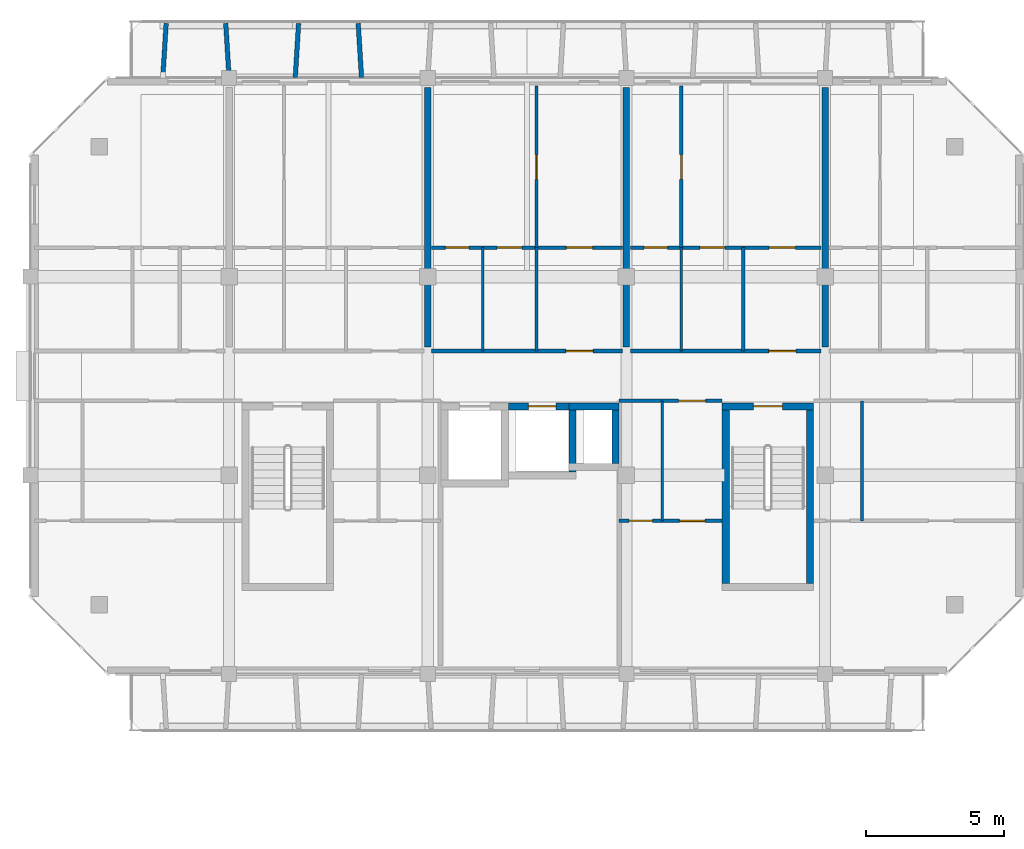
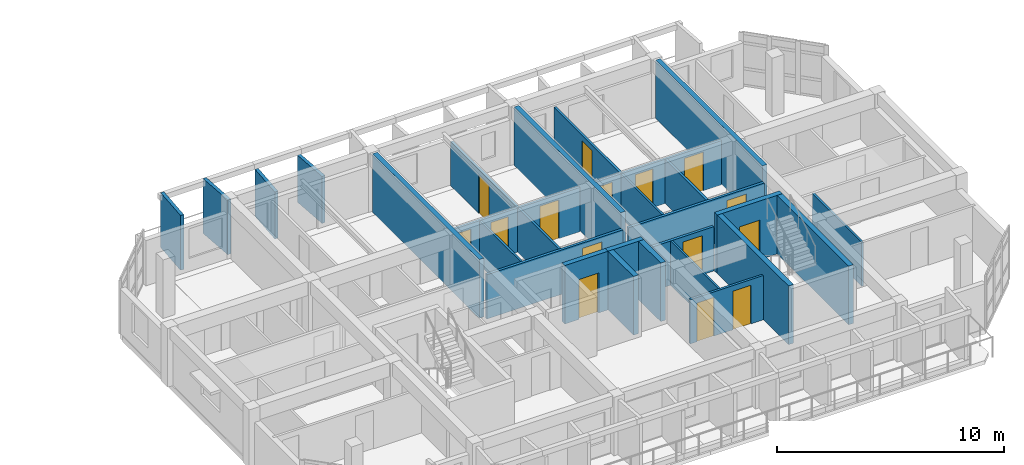
# One storey, part 26 of 43: 28 walls, 15 doors, 15 openings.
"""IFC4 building model written with IfcOpenShell, lengths in metres."""

import ifcopenshell
import ifcopenshell.guid

model = None  # the IFC model being written
_history = None  # IfcOwnerHistory: only IFC2X3 demands one
_inside = {}  # id of a spatial element -> (the spatial element, [elements in it])
_under = {}  # id of a project, library or spatial element -> (it, [spatial elements below it])
_declared = {}  # id of a project -> (the project, [libraries it declares])
_typed = {}  # id of a type object -> (the type object, [elements of that type])
_made_of = {}  # id of a material, layer set ... -> (it, [elements and type objects made of it])


def new_model(schema):
    """Start an empty IFC model of exactly this schema.

    Asked for "IFC4X3", IfcOpenShell would pick the latest addendum, in which some entities
    have other attributes; the version numbers below select the first issue.
    IFC2X3 requires an IfcOwnerHistory on every rooted entity: one is made here for all.
    """
    global model, _history
    if schema == "IFC4X3":
        model = ifcopenshell.file(schema_version=(4, 3, 0, 0))
    else:
        model = ifcopenshell.file(schema=schema)
    _inside.clear()
    _under.clear()
    _declared.clear()
    _typed.clear()
    _made_of.clear()
    _history = None
    if model.schema == "IFC2X3":
        org = make("IfcOrganization", Name="unknown")
        user = make(
            "IfcPersonAndOrganization",
            ThePerson=make("IfcPerson", FamilyName="unknown"),
            TheOrganization=org,
        )
        app = make(
            "IfcApplication",
            ApplicationDeveloper=org,
            Version="unknown",
            ApplicationFullName="unknown",
            ApplicationIdentifier="unknown",
        )
        _history = make(
            "IfcOwnerHistory",
            OwningUser=user,
            OwningApplication=app,
            ChangeAction="ADDED",
            CreationDate=0,
        )
    return model


def make(cls, **values):
    """One entity of the class cls with the attributes given. An attribute that is None is left unset."""
    return model.create_entity(
        cls, **{name: value for name, value in values.items() if value is not None}
    )


def rooted(cls, **values):
    """An entity with a GlobalId (a new one), such as an element, a storey or a relation."""
    return make(cls, GlobalId=ifcopenshell.guid.new(), OwnerHistory=_history, **values)


def si_unit(unit_type, name, prefix=None):
    """IfcSIUnit, for example si_unit("LENGTHUNIT", "METRE", prefix="MILLI")."""
    return make("IfcSIUnit", UnitType=unit_type, Prefix=prefix, Name=name)


def assignment(units):
    """IfcUnitAssignment: the units of a project."""
    return None if units is None else make("IfcUnitAssignment", Units=units)


def point(xyz):
    """IfcCartesianPoint."""
    return None if xyz is None else make("IfcCartesianPoint", Coordinates=xyz)


def direction(xyz):
    """IfcDirection."""
    return None if xyz is None else make("IfcDirection", DirectionRatios=xyz)


def frame(location, z_axis=None, x_axis=None):
    """IfcAxis2Placement3D, a coordinate frame: its origin and axes. An axis left out is left unset."""
    return make(
        "IfcAxis2Placement3D",
        Location=point(location),
        Axis=direction(z_axis),
        RefDirection=direction(x_axis),
    )


def frame_2d(location, x_axis=None):
    """IfcAxis2Placement2D, a coordinate frame in the plane: its origin and x axis."""
    return make(
        "IfcAxis2Placement2D", Location=point(location), RefDirection=direction(x_axis)
    )


def origin():
    """The frame at (0, 0, 0) with its axes left unset."""
    return frame((0.0, 0.0, 0.0))


def place(relative_to, where):
    """IfcLocalPlacement: puts the frame where relative to a parent placement (None: the world)."""
    return make(
        "IfcLocalPlacement", PlacementRelTo=relative_to, RelativePlacement=where
    )


def context(
    kind, dimensions, precision=None, world=None, true_north=None, identifier=None
):
    """IfcGeometricRepresentationContext, for example the 3D "Model" context."""
    return make(
        "IfcGeometricRepresentationContext",
        ContextIdentifier=identifier,
        ContextType=kind,
        CoordinateSpaceDimension=dimensions,
        Precision=precision,
        WorldCoordinateSystem=world,
        TrueNorth=true_north,
    )


def subcontext(parent, identifier, kind, view, scale=None):
    """IfcGeometricRepresentationSubContext, for example "Body" below "Model"."""
    return make(
        "IfcGeometricRepresentationSubContext",
        ContextIdentifier=identifier,
        ContextType=kind,
        ParentContext=parent,
        TargetScale=scale,
        TargetView=view,
    )


def project(units=None, contexts=None):
    """IfcProject with its units and contexts."""
    return rooted(
        "IfcProject",
        Name="project",
        RepresentationContexts=contexts,
        UnitsInContext=assignment(units),
    )


def spatial(cls, under=None, at=None, **own):
    """A site, building, storey or space (cls), placed at a placement, below another one or the project."""
    s = rooted(cls, ObjectPlacement=at, **own)
    if under is not None:
        _under.setdefault(under.id(), (under, []))[1].append(s)
    return s


def profile(cls, at=None, kind="AREA", **sizes):
    """A parametric profile (cls). Its sizes go by their IFC names, for example OverallWidth=200.0."""
    return make(cls, ProfileType=kind, Position=at, **sizes)


def rectangle(**sizes):
    """IfcRectangleProfileDef."""
    return profile("IfcRectangleProfileDef", **sizes)


def extrude(swept, where, along, depth):
    """IfcExtrudedAreaSolid: the profile swept, set in the frame where, extruded along a direction by depth."""
    return make(
        "IfcExtrudedAreaSolid",
        SweptArea=swept,
        Position=where,
        ExtrudedDirection=direction(along),
        Depth=depth,
    )


def shape(context_of_items, identifier, shape_type, items):
    """IfcShapeRepresentation: the items that make up one representation, for example the "Body"."""
    return make(
        "IfcShapeRepresentation",
        ContextOfItems=context_of_items,
        RepresentationIdentifier=identifier,
        RepresentationType=shape_type,
        Items=items,
    )


def material(Name=None, Category=None):
    """IfcMaterial."""
    return make("IfcMaterial", Name=Name, Category=Category)


def layer(
    of_material, thickness, ventilated=None, Name=None, Category=None, Priority=None
):
    """IfcMaterialLayer: one layer of a wall or slab, of a material (None: an air gap)."""
    return make(
        "IfcMaterialLayer",
        Material=of_material,
        LayerThickness=thickness,
        IsVentilated=ventilated,
        Name=Name,
        Category=Category,
        Priority=Priority,
    )


def layer_set(layers, Name=None):
    """IfcMaterialLayerSet."""
    return make("IfcMaterialLayerSet", MaterialLayers=layers, LayerSetName=Name)


def made_of(thing, what):
    """Note that an element or type object is made of a material, layer set ...; save() writes the relation."""
    if what is not None:
        _made_of.setdefault(what.id(), (what, []))[1].append(thing)
    return thing


def type_object(cls, material=None, **own):
    """A type object (cls), such as IfcWallType, which elements share."""
    return made_of(rooted(cls, **own), material)


def element(
    cls,
    number,
    at=None,
    inside=None,
    cuts=None,
    type_object=None,
    material=None,
    context=None,
    identifier="Body",
    shape_type=None,
    held_by="IfcProductDefinitionShape",
    body=None,
    shapes=None,
    **own,
):
    """One element of the class cls, such as IfcWall. Its Tag is "e" and its number.

    at: its placement. inside: the storey or other place that contains it. cuts: it is an
    opening in that element (IfcRelVoidsElement). A single representation is given by context,
    identifier, shape_type and body (its items); several are given by shapes. held_by: the class
    of the entity that holds the representations. save() writes the other relations.
    """
    e = rooted(cls, Tag="e%d" % number, ObjectPlacement=at, **own)
    if body is not None:
        shapes = [shape(context, identifier, shape_type, body)]
    if shapes is not None:
        e.Representation = make(held_by, Representations=shapes)
    if inside is not None:
        _inside.setdefault(inside.id(), (inside, []))[1].append(e)
    if cuts is not None:
        rooted(
            "IfcRelVoidsElement", RelatingBuildingElement=cuts, RelatedOpeningElement=e
        )
    if type_object is not None:
        _typed.setdefault(type_object.id(), (type_object, []))[1].append(e)
    return made_of(e, material)


def fill(opening, filler):
    """IfcRelFillsElement: the door or window that sits in an opening."""
    return rooted(
        "IfcRelFillsElement",
        RelatingOpeningElement=opening,
        RelatedBuildingElement=filler,
    )


def aggregate(whole, parts):
    """IfcRelAggregates: a whole, such as a stair, and the parts it consists of."""
    return rooted("IfcRelAggregates", RelatingObject=whole, RelatedObjects=parts)


def save(model, path):
    """Write the relations noted so far, then the file.

    IfcRelAggregates (storeys below a building ...), IfcRelContainedInSpatialStructure (elements
    in a storey), IfcRelDefinesByType, IfcRelAssociatesMaterial and IfcRelDeclares: one each for
    every whole, place, type object, material and project.
    """
    for whole, parts in _under.values():
        aggregate(whole, parts)
    for where, things in _inside.values():
        rooted(
            "IfcRelContainedInSpatialStructure",
            RelatedElements=things,
            RelatingStructure=where,
        )
    for kind, things in _typed.values():
        rooted("IfcRelDefinesByType", RelatedObjects=things, RelatingType=kind)
    for what, things in _made_of.values():
        rooted("IfcRelAssociatesMaterial", RelatedObjects=things, RelatingMaterial=what)
    for by, libraries in _declared.values():
        rooted("IfcRelDeclares", RelatingContext=by, RelatedDefinitions=libraries)
    model.write(path)


model = new_model("IFC4")

# Units and contexts
model_context = context("Model", 3, precision=1e-05, world=origin(), true_north=direction((0.0, 1.0)))
body_context = subcontext(model_context, "Body", "Model", "MODEL_VIEW")
ifc_project = project(units=[si_unit("LENGTHUNIT", "METRE"), si_unit("AREAUNIT", "SQUARE_METRE"), si_unit("VOLUMEUNIT", "CUBIC_METRE"), si_unit("PLANEANGLEUNIT", "RADIAN"), si_unit("MASSUNIT", "GRAM", prefix="KILO")], contexts=[model_context])

# Site, building, storey
site_placement = place(None, origin())
site = spatial("IfcSite", under=ifc_project, at=site_placement, CompositionType="ELEMENT")
building_placement = place(site_placement, origin())
building = spatial("IfcBuilding", under=site, at=building_placement, Name="Ochrevale Crest", CompositionType="ELEMENT")
storey_placement = place(building_placement, frame((0.0, 0.0, 15.0)))
storey = spatial("IfcBuildingStorey", under=building, at=storey_placement, Name="L04", CompositionType="ELEMENT", Elevation=15.0)

# Wall, opening, door
ifc_material_1 = material(Name="Gypsum plasterboard", Category="gypsum")
ifc_layer_1 = layer(ifc_material_1, 0.139892578125)
ifc_layer_set_1 = layer_set([ifc_layer_1], Name="Gypsum plasterboard")
wall_type_1 = type_object("IfcWallType", Name="WL-COR-140", PredefinedType="PARTITIONING", material=ifc_layer_set_1)
wall_1_placement = place(storey_placement, frame((144.139892578125, 83.699951171875, 0.0), z_axis=(0.0, 0.0, 1.0), x_axis=(1.0, 0.0, 0.0)))
wall_1 = element("IfcWall", 1, at=wall_1_placement, inside=storey, type_object=wall_type_1, Name="Apartment D-L04-U3 corridor wall", PredefinedType="PARTITIONING", context=body_context, shape_type="SweptSolid", body=[
    extrude(rectangle(XDim=6.920166015625, YDim=0.139892578125, at=frame_2d((3.4599609375, 0.0))), origin(), (0.0, 0.0, 1.0), 2.3798828125),
])
opening_1_placement = place(wall_1_placement, frame((5.85009765625, 0.0, 0.0), z_axis=(0.0, 0.0, 1.0), x_axis=(-1.0, 0.0, 0.0)))
opening_1 = element("IfcOpeningElement", 2, at=opening_1_placement, cuts=wall_1, Name="Opening FD01", PredefinedType="OPENING", context=body_context, shape_type="SweptSolid", body=[
    extrude(rectangle(XDim=0.97998046875, YDim=2.10009765625, at=frame_2d((0.489990234375, 1.050048828125))), frame((0.0, 0.080078125, 0.0), z_axis=(0.0, -1.0, 0.0), x_axis=(1.0, 0.0, 0.0)), (0.0, 0.0, 1.0), 0.159912109375),
])
ifc_material_2 = material(Name="Solid-core FSC hardwood", Category="wood")
door_type_1 = type_object("IfcDoorType", Name="DR-APT-950", OperationType="NOTDEFINED", PredefinedType="DOOR", material=ifc_material_2)
door_1_placement = place(opening_1_placement, origin())
door_1 = element("IfcDoor", 3, at=door_1_placement, inside=storey, type_object=door_type_1, Name="Apartment D-L04-U3 entrance door", OperationType="SINGLE_SWING_RIGHT", OverallHeight=2.10009765625, OverallWidth=0.97998046875, PredefinedType="DOOR", context=body_context, shape_type="SweptSolid", body=[
    extrude(rectangle(XDim=0.97998046875, YDim=2.10009765625, at=frame_2d((0.489990234375, 1.050048828125))), frame((0.0, 0.02490234375, 0.0), z_axis=(0.0, -1.0, 0.0), x_axis=(1.0, 0.0, 0.0)), (0.0, 0.0, 1.0), 0.050048828125),
])
fill(opening_1, door_1)

wall_2_placement = place(storey_placement, frame((151.340087890625, 83.699951171875, 0.0), z_axis=(0.0, 0.0, 1.0), x_axis=(1.0, 0.0, 0.0)))
wall_2 = element("IfcWall", 4, at=wall_2_placement, inside=storey, type_object=wall_type_1, Name="Apartment D-L04-U4 corridor wall", PredefinedType="PARTITIONING", context=body_context, shape_type="SweptSolid", body=[
    extrude(rectangle(XDim=6.919921875, YDim=0.139892578125, at=frame_2d((3.4599609375, 0.0))), origin(), (0.0, 0.0, 1.0), 2.3798828125),
])
opening_2_placement = place(wall_2_placement, frame((5.02001953125, 0.0, 0.0)))
opening_2 = element("IfcOpeningElement", 5, at=opening_2_placement, cuts=wall_2, Name="Opening FD01", PredefinedType="OPENING", context=body_context, shape_type="SweptSolid", body=[
    extrude(rectangle(XDim=0.97998046875, YDim=2.10009765625, at=frame_2d((0.489990234375, 1.050048828125))), frame((0.0, 0.080078125, 0.0), z_axis=(0.0, -1.0, 0.0), x_axis=(1.0, 0.0, 0.0)), (0.0, 0.0, 1.0), 0.159912109375),
])
door_2_placement = place(opening_2_placement, origin())
door_2 = element("IfcDoor", 6, at=door_2_placement, inside=storey, type_object=door_type_1, Name="Apartment D-L04-U4 entrance door", OperationType="SINGLE_SWING_LEFT", OverallHeight=2.10009765625, OverallWidth=0.97998046875, PredefinedType="DOOR", context=body_context, shape_type="SweptSolid", body=[
    extrude(rectangle(XDim=0.97998046875, YDim=2.10009765625, at=frame_2d((0.489990234375, 1.050048828125))), frame((0.0, 0.02490234375, 0.0), z_axis=(0.0, -1.0, 0.0), x_axis=(1.0, 0.0, 0.0)), (0.0, 0.0, 1.0), 0.050048828125),
])
fill(opening_2, door_2)

wall_3_placement = place(storey_placement, frame((150.93994140625, 81.89990234375, 0.0), z_axis=(0.0, 0.0, 1.0), x_axis=(1.0, 0.0, 0.0)))
wall_3 = element("IfcWall", 7, at=wall_3_placement, inside=storey, type_object=wall_type_1, Name="Suite D-L04-ME corridor wall", PredefinedType="PARTITIONING", context=body_context, shape_type="SweptSolid", body=[
    extrude(rectangle(XDim=3.719970703125, YDim=0.139892578125, at=frame_2d((1.85986328125, 0.0))), origin(), (0.0, 0.0, 1.0), 2.3798828125),
])
opening_3_placement = place(wall_3_placement, frame((2.151123046875, 0.0, 0.0)))
opening_3 = element("IfcOpeningElement", 8, at=opening_3_placement, cuts=wall_3, Name="Opening FD01", PredefinedType="OPENING", context=body_context, shape_type="SweptSolid", body=[
    extrude(rectangle(XDim=0.97998046875, YDim=2.10009765625, at=frame_2d((0.489990234375, 1.050048828125))), frame((0.0, 0.080078125, 0.0), z_axis=(0.0, -1.0, 0.0), x_axis=(1.0, 0.0, 0.0)), (0.0, 0.0, 1.0), 0.159912109375),
])
door_3_placement = place(opening_3_placement, origin())
door_3 = element("IfcDoor", 9, at=door_3_placement, inside=storey, type_object=door_type_1, Name="Suite D-L04-ME entrance door", OperationType="SINGLE_SWING_LEFT", OverallHeight=2.10009765625, OverallWidth=0.97998046875, PredefinedType="DOOR", context=body_context, shape_type="SweptSolid", body=[
    extrude(rectangle(XDim=0.97998046875, YDim=2.10009765625, at=frame_2d((0.489990234375, 1.050048828125))), frame((0.0, 0.02490234375, 0.0), z_axis=(0.0, -1.0, 0.0), x_axis=(1.0, 0.0, 0.0)), (0.0, 0.0, 1.0), 0.050048828125),
])
fill(opening_3, door_3)

ifc_material_3 = material(Name="Precast concrete C50/60", Category="concrete")
ifc_layer_2 = layer(ifc_material_3, 0.2548828125)
ifc_layer_set_2 = layer_set([ifc_layer_2], Name="Precast concrete C50/60")
wall_type_2 = type_object("IfcWallType", Name="WL-CORE-255", PredefinedType="SHEAR", material=ifc_layer_set_2)
wall_4_placement = place(storey_placement, frame((154.672607421875, 81.699951171875, 0.0), z_axis=(0.0, 0.0, 1.0), x_axis=(1.0, 0.0, 0.0)))
wall_4 = element("IfcWall", 10, at=wall_4_placement, inside=storey, type_object=wall_type_2, Name="Block D L04 Stair 2 precast core shear wall N", PredefinedType="SHEAR", context=body_context, shape_type="SweptSolid", body=[
    extrude(rectangle(XDim=3.304931640625, YDim=0.2548828125, at=frame_2d((1.65234375, 0.0))), origin(), (0.0, 0.0, 1.0), 3.14990234375),
])
opening_4_placement = place(wall_4_placement, frame((1.12744140625, 0.0, 0.0)))
opening_4 = element("IfcOpeningElement", 11, at=opening_4_placement, cuts=wall_4, Name="Opening FD03", PredefinedType="OPENING", context=body_context, shape_type="SweptSolid", body=[
    extrude(rectangle(XDim=1.050048828125, YDim=2.1201171875, at=frame_2d((0.52490234375, 1.06005859375))), frame((0.0, 0.137451171875, 0.0), z_axis=(0.0, -1.0, 0.0), x_axis=(1.0, 0.0, 0.0)), (0.0, 0.0, 1.0), 0.27490234375),
])
door_type_2 = type_object("IfcDoorType", Name="DR-ST-1050", OperationType="NOTDEFINED", PredefinedType="DOOR", material=ifc_material_2)
door_4_placement = place(opening_4_placement, origin())
door_4 = element("IfcDoor", 12, at=door_4_placement, inside=storey, type_object=door_type_2, Name="Block D L04 fire stair 2 door", OperationType="SINGLE_SWING_LEFT", OverallHeight=2.1201171875, OverallWidth=1.050048828125, PredefinedType="DOOR", context=body_context, shape_type="SweptSolid", body=[
    extrude(rectangle(XDim=1.050048828125, YDim=2.1201171875, at=frame_2d((0.52490234375, 1.06005859375))), frame((0.0, 0.02490234375, 0.0), z_axis=(0.0, -1.0, 0.0), x_axis=(1.0, 0.0, 0.0)), (0.0, 0.0, 1.0), 0.050048828125),
])
fill(opening_4, door_4)

# Walls
for number, where, z_axis, x_axis, name in (
    (13, (154.800048828125, 75.277587890625, 0.0), (0.0, 0.0, 1.0), (0.0, 1.0, 0.0), "Block D L04 Stair 2 precast core shear wall W"),
    (14, (157.85009765625, 75.277587890625, 0.0), (0.0, 0.0, 1.0), (0.0, 1.0, 0.0), "Block D L04 Stair 2 precast core shear wall E"),
):
    element("IfcWall", number, at=place(storey_placement, frame(where, z_axis=z_axis, x_axis=x_axis)), inside=storey, type_object=wall_type_2, Name=name, PredefinedType="SHEAR", context=body_context, shape_type="SweptSolid", body=[
        extrude(rectangle(XDim=6.294921875, YDim=0.2548828125, at=frame_2d((3.1474609375, 0.0))), origin(), (0.0, 0.0, 1.0), 3.14990234375),
    ])

# Wall, opening, door
wall_5_placement = place(storey_placement, frame((146.922607421875, 81.699951171875, 0.0), z_axis=(0.0, 0.0, 1.0), x_axis=(1.0, 0.0, 0.0)))
wall_5 = element("IfcWall", 15, at=wall_5_placement, inside=storey, type_object=wall_type_2, Name="Block D L04 Lift 2 precast shaft shear wall N", PredefinedType="SHEAR", context=body_context, shape_type="SweptSolid", body=[
    extrude(rectangle(XDim=2.454833984375, YDim=0.2548828125, at=frame_2d((1.2275390625, 0.0))), origin(), (0.0, 0.0, 1.0), 3.14990234375),
])
opening_5_placement = place(wall_5_placement, frame((0.7275390625, 0.0, 0.0)))
opening_5 = element("IfcOpeningElement", 16, at=opening_5_placement, cuts=wall_5, Name="Opening LD02", PredefinedType="OPENING", context=body_context, shape_type="SweptSolid", body=[
    extrude(rectangle(XDim=1.0, YDim=2.14990234375, at=frame_2d((0.5, 1.074951171875))), frame((0.0, 0.137451171875, 0.0), z_axis=(0.0, -1.0, 0.0), x_axis=(1.0, 0.0, 0.0)), (0.0, 0.0, 1.0), 0.27490234375),
])
door_type_3 = type_object("IfcDoorType", Name="DR-LIFT-1000", OperationType="NOTDEFINED", PredefinedType="DOOR", material=ifc_material_2)
door_5_placement = place(opening_5_placement, origin())
door_5 = element("IfcDoor", 17, at=door_5_placement, inside=storey, type_object=door_type_3, Name="Lift LP-D2 L04 sliding landing door", OperationType="SLIDING_TO_RIGHT", OverallHeight=2.14990234375, OverallWidth=1.0, PredefinedType="DOOR", context=body_context, shape_type="SweptSolid", body=[
    extrude(rectangle(XDim=1.0, YDim=2.14990234375, at=frame_2d((0.5, 1.074951171875))), frame((0.0, 0.02490234375, 0.0), z_axis=(0.0, -1.0, 0.0), x_axis=(1.0, 0.0, 0.0)), (0.0, 0.0, 1.0), 0.050048828125),
])
fill(opening_5, door_5)

# Walls
wall_6_placement = place(storey_placement, frame((149.25, 79.327392578125, 0.0), z_axis=(0.0, 0.0, 1.0), x_axis=(0.0, 1.0, 0.0)))
element("IfcWall", 18, at=wall_6_placement, inside=storey, type_object=wall_type_2, Name="Block D L04 Lift 2 precast shaft shear wall E", PredefinedType="SHEAR", context=body_context, shape_type="SweptSolid", body=[
    extrude(rectangle(XDim=2.2451171875, YDim=0.2548828125, at=frame_2d((1.12255859375, 0.0))), origin(), (0.0, 0.0, 1.0), 3.14990234375),
])
wall_7_placement = place(storey_placement, frame((149.12255859375, 81.699951171875, 0.0), z_axis=(0.0, 0.0, 1.0), x_axis=(1.0, 0.0, 0.0)))
element("IfcWall", 19, at=wall_7_placement, inside=storey, type_object=wall_type_2, Name="Block D L04 services riser shaft core wall N", PredefinedType="SHEAR", context=body_context, shape_type="SweptSolid", body=[
    extrude(rectangle(XDim=1.804931640625, YDim=0.2548828125, at=frame_2d((0.90234375, 0.0))), origin(), (0.0, 0.0, 1.0), 3.14990234375),
])
wall_8_placement = place(storey_placement, frame((150.800048828125, 79.62744140625, 0.0), z_axis=(0.0, 0.0, 1.0), x_axis=(0.0, 1.0, 0.0)))
element("IfcWall", 20, at=wall_8_placement, inside=storey, type_object=wall_type_2, Name="Block D L04 services riser shaft core wall E", PredefinedType="SHEAR", context=body_context, shape_type="SweptSolid", body=[
    extrude(rectangle(XDim=1.945068359375, YDim=0.2548828125, at=frame_2d((0.97265625, 0.0))), origin(), (0.0, 0.0, 1.0), 3.14990234375),
])
ifc_material_4 = material(Name="Precast concrete C40/50", Category="concrete")
ifc_layer_3 = layer(ifc_material_4, 0.1650390625)
ifc_layer_set_3 = layer_set([ifc_layer_3], Name="Precast concrete C40/50")
wall_type_3 = type_object("IfcWallType", Name="WL-HC-CHEEK-165", PredefinedType="ELEMENTEDWALL", material=ifc_layer_set_3)
for number, where, z_axis, x_axis, name in (
    (21, (134.39990234375, 93.6201171875, 0.0), (0.0, 0.0, 1.0), (0.061170732449, 0.998127317276, 0.0), "Block D L04 N precast honeycomb cheek 1"),
    (22, (136.800048828125, 93.6201171875, 0.0), (0.0, 0.0, 1.0), (-0.061170732449, 0.998127317276, 0.0), "Block D L04 N precast honeycomb cheek 2"),
):
    element("IfcWall", number, at=place(storey_placement, frame(where, z_axis=z_axis, x_axis=x_axis)), inside=storey, type_object=wall_type_3, Name=name, PredefinedType="ELEMENTEDWALL", context=body_context, shape_type="SweptSolid", body=[
        extrude(rectangle(XDim=1.963623046875, YDim=0.1650390625, at=frame_2d((0.98193359375, 0.0))), origin(), (0.0, 0.0, 1.0), 2.949951171875),
    ])
for number, where, z_axis, x_axis, name in (
    (23, (139.199951171875, 93.6201171875, 0.0), (0.0, 0.0, 1.0), (0.061170732449, 0.998127317276, 0.0), "Block D L04 N precast honeycomb cheek 3"),
    (24, (141.60009765625, 93.6201171875, 0.0), (0.0, 0.0, 1.0), (-0.061170732449, 0.998127317276, 0.0), "Block D L04 N precast honeycomb cheek 4"),
):
    element("IfcWall", number, at=place(storey_placement, frame(where, z_axis=z_axis, x_axis=x_axis)), inside=storey, type_object=wall_type_3, Name=name, PredefinedType="ELEMENTEDWALL", context=body_context, shape_type="SweptSolid", body=[
        extrude(rectangle(XDim=1.963623046875, YDim=0.1650390625, at=frame_2d((0.98193359375, 0.0))), origin(), (0.0, 0.0, 1.0), 2.530029296875),
    ])
ifc_layer_4 = layer(ifc_material_1, 0.1201171875)
ifc_layer_set_4 = layer_set([ifc_layer_4], Name="Gypsum plasterboard")
wall_type_4 = type_object("IfcWallType", Name="WL-PART-120", PredefinedType="PARTITIONING", material=ifc_layer_set_4)
wall_9_placement = place(storey_placement, frame((147.93994140625, 83.699951171875, 0.0), z_axis=(0.0, 0.0, 1.0), x_axis=(0.0, 1.0, 0.0)))
element("IfcWall", 25, at=wall_9_placement, inside=storey, type_object=wall_type_4, Name="Apartment D-L04-U3 kitchen-foyer wall", PredefinedType="PARTITIONING", context=body_context, shape_type="SweptSolid", body=[
    extrude(rectangle(XDim=3.75, YDim=0.1201171875, at=frame_2d((1.875, 0.0))), origin(), (0.0, 0.0, 1.0), 2.375),
])

# Wall, openings, doors
wall_10_placement = place(storey_placement, frame((144.139892578125, 87.449951171875, 0.0), z_axis=(0.0, 0.0, 1.0), x_axis=(1.0, 0.0, 0.0)))
wall_10 = element("IfcWall", 26, at=wall_10_placement, inside=storey, type_object=wall_type_4, Name="Apartment D-L04-U3 central partition", PredefinedType="PARTITIONING", context=body_context, shape_type="SweptSolid", body=[
    extrude(rectangle(XDim=6.920166015625, YDim=0.1201171875, at=frame_2d((3.4599609375, 0.0))), origin(), (0.0, 0.0, 1.0), 2.3798828125),
])
opening_6_placement = place(wall_10_placement, frame((0.5, 0.0, 0.0)))
opening_6 = element("IfcOpeningElement", 27, at=opening_6_placement, cuts=wall_10, Name="Opening ID01", PredefinedType="OPENING", context=body_context, shape_type="SweptSolid", body=[
    extrude(rectangle(XDim=0.85009765625, YDim=2.080078125, at=frame_2d((0.425048828125, 1.0400390625))), frame((0.0, 0.070068359375, 0.0), z_axis=(0.0, -1.0, 0.0), x_axis=(1.0, 0.0, 0.0)), (0.0, 0.0, 1.0), 0.14013671875),
])
opening_7_placement = place(wall_10_placement, frame((3.27490234375, 0.0, 0.0), z_axis=(0.0, 0.0, 1.0), x_axis=(-1.0, 0.0, 0.0)))
opening_7 = element("IfcOpeningElement", 28, at=opening_7_placement, cuts=wall_10, Name="Opening ID02", PredefinedType="OPENING", context=body_context, shape_type="SweptSolid", body=[
    extrude(rectangle(XDim=0.89990234375, YDim=2.080078125, at=frame_2d((0.449951171875, 1.0400390625))), frame((0.0, 0.070068359375, 0.0), z_axis=(0.0, -1.0, 0.0), x_axis=(1.0, 0.0, 0.0)), (0.0, 0.0, 1.0), 0.14013671875),
])
opening_8_placement = place(wall_10_placement, frame((4.885009765625, 0.0, 0.0)))
opening_8 = element("IfcOpeningElement", 29, at=opening_8_placement, cuts=wall_10, Name="Opening ID06", PredefinedType="OPENING", context=body_context, shape_type="SweptSolid", body=[
    extrude(rectangle(XDim=0.949951171875, YDim=2.080078125, at=frame_2d((0.47509765625, 1.0400390625))), frame((0.0, 0.070068359375, 0.0), z_axis=(0.0, -1.0, 0.0), x_axis=(1.0, 0.0, 0.0)), (0.0, 0.0, 1.0), 0.14013671875),
])
door_type_4 = type_object("IfcDoorType", Name="DR-INT-900", OperationType="NOTDEFINED", PredefinedType="DOOR", material=ifc_material_2)
door_6_placement = place(opening_7_placement, origin())
door_6 = element("IfcDoor", 30, at=door_6_placement, inside=storey, type_object=door_type_4, Name="Apartment D-L04-U3 Kitchen door", OperationType="SINGLE_SWING_RIGHT", OverallHeight=2.080078125, OverallWidth=0.89990234375, PredefinedType="DOOR", context=body_context, shape_type="SweptSolid", body=[
    extrude(rectangle(XDim=0.89990234375, YDim=2.080078125, at=frame_2d((0.449951171875, 1.0400390625))), frame((0.0, 0.02490234375, 0.0), z_axis=(0.0, -1.0, 0.0), x_axis=(1.0, 0.0, 0.0)), (0.0, 0.0, 1.0), 0.050048828125),
])
fill(opening_7, door_6)
door_type_5 = type_object("IfcDoorType", Name="DR-INT-950", OperationType="NOTDEFINED", PredefinedType="DOOR", material=ifc_material_2)
door_7_placement = place(opening_8_placement, origin())
door_7 = element("IfcDoor", 31, at=door_7_placement, inside=storey, type_object=door_type_5, Name="Apartment D-L04-U3 Living Foyer door", OperationType="SINGLE_SWING_LEFT", OverallHeight=2.080078125, OverallWidth=0.949951171875, PredefinedType="DOOR", context=body_context, shape_type="SweptSolid", body=[
    extrude(rectangle(XDim=0.949951171875, YDim=2.080078125, at=frame_2d((0.47509765625, 1.0400390625))), frame((0.0, 0.02490234375, 0.0), z_axis=(0.0, -1.0, 0.0), x_axis=(1.0, 0.0, 0.0)), (0.0, 0.0, 1.0), 0.050048828125),
])
fill(opening_8, door_7)
door_type_6 = type_object("IfcDoorType", Name="DR-WC-850", OperationType="NOTDEFINED", PredefinedType="DOOR", material=ifc_material_2)
door_8_placement = place(opening_6_placement, origin())
door_8 = element("IfcDoor", 32, at=door_8_placement, inside=storey, type_object=door_type_6, Name="Apartment D-L04-U3 Bathroom door", OperationType="SINGLE_SWING_LEFT", OverallHeight=2.080078125, OverallWidth=0.85009765625, PredefinedType="DOOR", context=body_context, shape_type="SweptSolid", body=[
    extrude(rectangle(XDim=0.85009765625, YDim=2.080078125, at=frame_2d((0.425048828125, 1.0400390625))), frame((0.0, 0.02490234375, 0.0), z_axis=(0.0, -1.0, 0.0), x_axis=(1.0, 0.0, 0.0)), (0.0, 0.0, 1.0), 0.050048828125),
])
fill(opening_6, door_8)

# Wall, opening, door
wall_11_placement = place(storey_placement, frame((147.93994140625, 87.449951171875, 0.0), z_axis=(0.0, 0.0, 1.0), x_axis=(0.0, 1.0, 0.0)))
wall_11 = element("IfcWall", 33, at=wall_11_placement, inside=storey, type_object=wall_type_4, Name="Apartment D-L04-U3 bedroom partition", PredefinedType="PARTITIONING", context=body_context, shape_type="SweptSolid", body=[
    extrude(rectangle(XDim=5.85009765625, YDim=0.1201171875, at=frame_2d((2.925048828125, 0.0))), origin(), (0.0, 0.0, 1.0), 2.3798828125),
])
opening_9_placement = place(wall_11_placement, frame((3.375, 0.0, 0.0), z_axis=(0.0, 0.0, 1.0), x_axis=(-1.0, 0.0, 0.0)))
opening_9 = element("IfcOpeningElement", 34, at=opening_9_placement, cuts=wall_11, Name="Opening ID02", PredefinedType="OPENING", context=body_context, shape_type="SweptSolid", body=[
    extrude(rectangle(XDim=0.89990234375, YDim=2.080078125, at=frame_2d((0.449951171875, 1.0400390625))), frame((0.0, 0.070068359375, 0.0), z_axis=(0.0, -1.0, 0.0), x_axis=(1.0, 0.0, 0.0)), (0.0, 0.0, 1.0), 0.14013671875),
])
door_9_placement = place(opening_9_placement, origin())
door_9 = element("IfcDoor", 35, at=door_9_placement, inside=storey, type_object=door_type_4, Name="Apartment D-L04-U3 Master Bedroom door", OperationType="SINGLE_SWING_RIGHT", OverallHeight=2.080078125, OverallWidth=0.89990234375, PredefinedType="DOOR", context=body_context, shape_type="SweptSolid", body=[
    extrude(rectangle(XDim=0.89990234375, YDim=2.080078125, at=frame_2d((0.449951171875, 1.0400390625))), frame((0.0, 0.02490234375, 0.0), z_axis=(0.0, -1.0, 0.0), x_axis=(1.0, 0.0, 0.0)), (0.0, 0.0, 1.0), 0.050048828125),
])
fill(opening_9, door_9)

# Wall
wall_12_placement = place(storey_placement, frame((155.43994140625, 83.699951171875, 0.0), z_axis=(0.0, 0.0, 1.0), x_axis=(0.0, 1.0, 0.0)))
element("IfcWall", 36, at=wall_12_placement, inside=storey, type_object=wall_type_4, Name="Apartment D-L04-U4 kitchen-foyer wall", PredefinedType="PARTITIONING", context=body_context, shape_type="SweptSolid", body=[
    extrude(rectangle(XDim=3.75, YDim=0.1201171875, at=frame_2d((1.875, 0.0))), origin(), (0.0, 0.0, 1.0), 2.375),
])

# Wall, openings, doors
wall_13_placement = place(storey_placement, frame((151.340087890625, 87.449951171875, 0.0), z_axis=(0.0, 0.0, 1.0), x_axis=(1.0, 0.0, 0.0)))
wall_13 = element("IfcWall", 37, at=wall_13_placement, inside=storey, type_object=wall_type_4, Name="Apartment D-L04-U4 central partition", PredefinedType="PARTITIONING", context=body_context, shape_type="SweptSolid", body=[
    extrude(rectangle(XDim=6.919921875, YDim=0.1201171875, at=frame_2d((3.4599609375, 0.0))), origin(), (0.0, 0.0, 1.0), 2.3798828125),
])
opening_10_placement = place(wall_13_placement, frame((1.35009765625, 0.0, 0.0), z_axis=(0.0, 0.0, 1.0), x_axis=(-1.0, 0.0, 0.0)))
opening_10 = element("IfcOpeningElement", 38, at=opening_10_placement, cuts=wall_13, Name="Opening ID01", PredefinedType="OPENING", context=body_context, shape_type="SweptSolid", body=[
    extrude(rectangle(XDim=0.85009765625, YDim=2.080078125, at=frame_2d((0.425048828125, 1.0400390625))), frame((0.0, 0.070068359375, 0.0), z_axis=(0.0, -1.0, 0.0), x_axis=(1.0, 0.0, 0.0)), (0.0, 0.0, 1.0), 0.14013671875),
])
opening_11_placement = place(wall_13_placement, frame((2.52490234375, 0.0, 0.0)))
opening_11 = element("IfcOpeningElement", 39, at=opening_11_placement, cuts=wall_13, Name="Opening ID02", PredefinedType="OPENING", context=body_context, shape_type="SweptSolid", body=[
    extrude(rectangle(XDim=0.89990234375, YDim=2.080078125, at=frame_2d((0.449951171875, 1.0400390625))), frame((0.0, 0.070068359375, 0.0), z_axis=(0.0, -1.0, 0.0), x_axis=(1.0, 0.0, 0.0)), (0.0, 0.0, 1.0), 0.14013671875),
])
opening_12_placement = place(wall_13_placement, frame((5.98486328125, 0.0, 0.0), z_axis=(0.0, 0.0, 1.0), x_axis=(-1.0, 0.0, 0.0)))
opening_12 = element("IfcOpeningElement", 40, at=opening_12_placement, cuts=wall_13, Name="Opening ID06", PredefinedType="OPENING", context=body_context, shape_type="SweptSolid", body=[
    extrude(rectangle(XDim=0.949951171875, YDim=2.080078125, at=frame_2d((0.47509765625, 1.0400390625))), frame((0.0, 0.070068359375, 0.0), z_axis=(0.0, -1.0, 0.0), x_axis=(1.0, 0.0, 0.0)), (0.0, 0.0, 1.0), 0.14013671875),
])
door_10_placement = place(opening_11_placement, origin())
door_10 = element("IfcDoor", 41, at=door_10_placement, inside=storey, type_object=door_type_4, Name="Apartment D-L04-U4 Kitchen door", OperationType="SINGLE_SWING_LEFT", OverallHeight=2.080078125, OverallWidth=0.89990234375, PredefinedType="DOOR", context=body_context, shape_type="SweptSolid", body=[
    extrude(rectangle(XDim=0.89990234375, YDim=2.080078125, at=frame_2d((0.449951171875, 1.0400390625))), frame((0.0, 0.02490234375, 0.0), z_axis=(0.0, -1.0, 0.0), x_axis=(1.0, 0.0, 0.0)), (0.0, 0.0, 1.0), 0.050048828125),
])
fill(opening_11, door_10)
door_11_placement = place(opening_12_placement, origin())
door_11 = element("IfcDoor", 42, at=door_11_placement, inside=storey, type_object=door_type_5, Name="Apartment D-L04-U4 Living Foyer door", OperationType="SINGLE_SWING_RIGHT", OverallHeight=2.080078125, OverallWidth=0.949951171875, PredefinedType="DOOR", context=body_context, shape_type="SweptSolid", body=[
    extrude(rectangle(XDim=0.949951171875, YDim=2.080078125, at=frame_2d((0.47509765625, 1.0400390625))), frame((0.0, 0.02490234375, 0.0), z_axis=(0.0, -1.0, 0.0), x_axis=(1.0, 0.0, 0.0)), (0.0, 0.0, 1.0), 0.050048828125),
])
fill(opening_12, door_11)
door_12_placement = place(opening_10_placement, origin())
door_12 = element("IfcDoor", 43, at=door_12_placement, inside=storey, type_object=door_type_6, Name="Apartment D-L04-U4 Bathroom door", OperationType="SINGLE_SWING_RIGHT", OverallHeight=2.080078125, OverallWidth=0.85009765625, PredefinedType="DOOR", context=body_context, shape_type="SweptSolid", body=[
    extrude(rectangle(XDim=0.85009765625, YDim=2.080078125, at=frame_2d((0.425048828125, 1.0400390625))), frame((0.0, 0.02490234375, 0.0), z_axis=(0.0, -1.0, 0.0), x_axis=(1.0, 0.0, 0.0)), (0.0, 0.0, 1.0), 0.050048828125),
])
fill(opening_10, door_12)

# Wall, opening, door
wall_14_placement = place(storey_placement, frame((153.18994140625, 87.449951171875, 0.0), z_axis=(0.0, 0.0, 1.0), x_axis=(0.0, 1.0, 0.0)))
wall_14 = element("IfcWall", 44, at=wall_14_placement, inside=storey, type_object=wall_type_4, Name="Apartment D-L04-U4 bedroom partition", PredefinedType="PARTITIONING", context=body_context, shape_type="SweptSolid", body=[
    extrude(rectangle(XDim=5.85009765625, YDim=0.1201171875, at=frame_2d((2.925048828125, 0.0))), origin(), (0.0, 0.0, 1.0), 2.3798828125),
])
opening_13_placement = place(wall_14_placement, frame((2.47509765625, 0.0, 0.0)))
opening_13 = element("IfcOpeningElement", 45, at=opening_13_placement, cuts=wall_14, Name="Opening ID02", PredefinedType="OPENING", context=body_context, shape_type="SweptSolid", body=[
    extrude(rectangle(XDim=0.89990234375, YDim=2.080078125, at=frame_2d((0.449951171875, 1.0400390625))), frame((0.0, 0.070068359375, 0.0), z_axis=(0.0, -1.0, 0.0), x_axis=(1.0, 0.0, 0.0)), (0.0, 0.0, 1.0), 0.14013671875),
])
door_13_placement = place(opening_13_placement, origin())
door_13 = element("IfcDoor", 46, at=door_13_placement, inside=storey, type_object=door_type_4, Name="Apartment D-L04-U4 Twin Bedroom door", OperationType="SINGLE_SWING_LEFT", OverallHeight=2.080078125, OverallWidth=0.89990234375, PredefinedType="DOOR", context=body_context, shape_type="SweptSolid", body=[
    extrude(rectangle(XDim=0.89990234375, YDim=2.080078125, at=frame_2d((0.449951171875, 1.0400390625))), frame((0.0, 0.02490234375, 0.0), z_axis=(0.0, -1.0, 0.0), x_axis=(1.0, 0.0, 0.0)), (0.0, 0.0, 1.0), 0.050048828125),
])
fill(opening_13, door_13)

# Wall, openings, doors
wall_15_placement = place(storey_placement, frame((150.93994140625, 77.550048828125, 0.0), z_axis=(0.0, 0.0, 1.0), x_axis=(1.0, 0.0, 0.0)))
wall_15 = element("IfcWall", 47, at=wall_15_placement, inside=storey, type_object=wall_type_4, Name="Suite D-L04-ME internal wall", PredefinedType="PARTITIONING", context=body_context, shape_type="SweptSolid", body=[
    extrude(rectangle(XDim=3.719970703125, YDim=0.1201171875, at=frame_2d((1.85986328125, 0.0))), origin(), (0.0, 0.0, 1.0), 2.3798828125),
])
opening_14_placement = place(wall_15_placement, frame((1.206298828125, 0.0, 0.0), z_axis=(0.0, 0.0, 1.0), x_axis=(-1.0, 0.0, 0.0)))
opening_14 = element("IfcOpeningElement", 48, at=opening_14_placement, cuts=wall_15, Name="Opening ID01", PredefinedType="OPENING", context=body_context, shape_type="SweptSolid", body=[
    extrude(rectangle(XDim=0.85009765625, YDim=2.080078125, at=frame_2d((0.425048828125, 1.0400390625))), frame((0.0, 0.070068359375, 0.0), z_axis=(0.0, -1.0, 0.0), x_axis=(1.0, 0.0, 0.0)), (0.0, 0.0, 1.0), 0.14013671875),
])
opening_15_placement = place(wall_15_placement, frame((2.18115234375, 0.0, 0.0)))
opening_15 = element("IfcOpeningElement", 49, at=opening_15_placement, cuts=wall_15, Name="Opening ID04", PredefinedType="OPENING", context=body_context, shape_type="SweptSolid", body=[
    extrude(rectangle(XDim=0.919921875, YDim=2.080078125, at=frame_2d((0.4599609375, 1.0400390625))), frame((0.0, 0.070068359375, 0.0), z_axis=(0.0, -1.0, 0.0), x_axis=(1.0, 0.0, 0.0)), (0.0, 0.0, 1.0), 0.14013671875),
])
door_type_7 = type_object("IfcDoorType", Name="DR-INT-920", OperationType="NOTDEFINED", PredefinedType="DOOR", material=ifc_material_2)
door_14_placement = place(opening_15_placement, origin())
door_14 = element("IfcDoor", 50, at=door_14_placement, inside=storey, type_object=door_type_7, Name="Suite D-L04-ME Garden Alcove Studio door", OperationType="SINGLE_SWING_LEFT", OverallHeight=2.080078125, OverallWidth=0.919921875, PredefinedType="DOOR", context=body_context, shape_type="SweptSolid", body=[
    extrude(rectangle(XDim=0.919921875, YDim=2.080078125, at=frame_2d((0.4599609375, 1.0400390625))), frame((0.0, 0.02490234375, 0.0), z_axis=(0.0, -1.0, 0.0), x_axis=(1.0, 0.0, 0.0)), (0.0, 0.0, 1.0), 0.050048828125),
])
fill(opening_15, door_14)
door_15_placement = place(opening_14_placement, origin())
door_15 = element("IfcDoor", 51, at=door_15_placement, inside=storey, type_object=door_type_6, Name="Suite D-L04-ME Bathroom door", OperationType="SINGLE_SWING_RIGHT", OverallHeight=2.080078125, OverallWidth=0.85009765625, PredefinedType="DOOR", context=body_context, shape_type="SweptSolid", body=[
    extrude(rectangle(XDim=0.85009765625, YDim=2.080078125, at=frame_2d((0.425048828125, 1.0400390625))), frame((0.0, 0.02490234375, 0.0), z_axis=(0.0, -1.0, 0.0), x_axis=(1.0, 0.0, 0.0)), (0.0, 0.0, 1.0), 0.050048828125),
])
fill(opening_14, door_15)

# Walls
ifc_layer_5 = layer(ifc_material_3, 0.239990234375)
ifc_layer_set_5 = layer_set([ifc_layer_5], Name="Precast concrete C50/60")
wall_type_5 = type_object("IfcWallType", Name="WL-SHEAR-240", PredefinedType="SHEAR", material=ifc_layer_set_5)
for number, where, z_axis, x_axis, name in (
    (52, (144.0, 83.85009765625, 0.0), (0.0, 0.0, 1.0), (0.0, 1.0, 0.0), "Block D L04 load-bearing precast cross-wall X=144.0"),
    (53, (151.199951171875, 83.85009765625, 0.0), (0.0, 0.0, 1.0), (0.0, 1.0, 0.0), "Block D L04 load-bearing precast cross-wall X=151.2"),
    (54, (158.39990234375, 83.85009765625, 0.0), (0.0, 0.0, 1.0), (0.0, 1.0, 0.0), "Block D L04 load-bearing precast cross-wall X=158.4"),
):
    element("IfcWall", number, at=place(storey_placement, frame(where, z_axis=z_axis, x_axis=x_axis)), inside=storey, type_object=wall_type_5, Name=name, PredefinedType="SHEAR", context=body_context, shape_type="SweptSolid", body=[
        extrude(rectangle(XDim=9.39990234375, YDim=0.239990234375, at=frame_2d((4.699951171875, 0.0))), origin(), (0.0, 0.0, 1.0), 3.14990234375),
    ])
ifc_layer_6 = layer(ifc_material_1, 0.10009765625)
ifc_layer_set_6 = layer_set([ifc_layer_6], Name="Gypsum plasterboard")
wall_type_6 = type_object("IfcWallType", Name="WL-WET-100", PredefinedType="PARTITIONING", material=ifc_layer_set_6)
for number, where, z_axis, x_axis, name in (
    (55, (145.989990234375, 83.699951171875, 0.0), (0.0, 0.0, 1.0), (0.0, 1.0, 0.0), "Apartment D-L04-U3 bath-kitchen wall"),
    (56, (153.18994140625, 83.699951171875, 0.0), (0.0, 0.0, 1.0), (0.0, 1.0, 0.0), "Apartment D-L04-U4 bath-kitchen wall"),
):
    element("IfcWall", number, at=place(storey_placement, frame(where, z_axis=z_axis, x_axis=x_axis)), inside=storey, type_object=wall_type_6, Name=name, PredefinedType="PARTITIONING", context=body_context, shape_type="SweptSolid", body=[
        extrude(rectangle(XDim=3.75, YDim=0.10009765625, at=frame_2d((1.875, 0.0))), origin(), (0.0, 0.0, 1.0), 2.375),
    ])
for number, where, z_axis, x_axis, name in (
    (57, (152.50244140625, 77.550048828125, 0.0), (0.0, 0.0, 1.0), (0.0, 1.0, 0.0), "Suite D-L04-ME bathroom divider"),
    (58, (159.739990234375, 77.550048828125, 0.0), (0.0, 0.0, 1.0), (0.0, 1.0, 0.0), "Suite D-L04-CE bathroom divider"),
):
    element("IfcWall", number, at=place(storey_placement, frame(where, z_axis=z_axis, x_axis=x_axis)), inside=storey, type_object=wall_type_6, Name=name, PredefinedType="PARTITIONING", context=body_context, shape_type="SweptSolid", body=[
        extrude(rectangle(XDim=4.349853515625, YDim=0.10009765625, at=frame_2d((2.1748046875, 0.0))), origin(), (0.0, 0.0, 1.0), 2.375),
    ])

save(model, "model.ifc")
